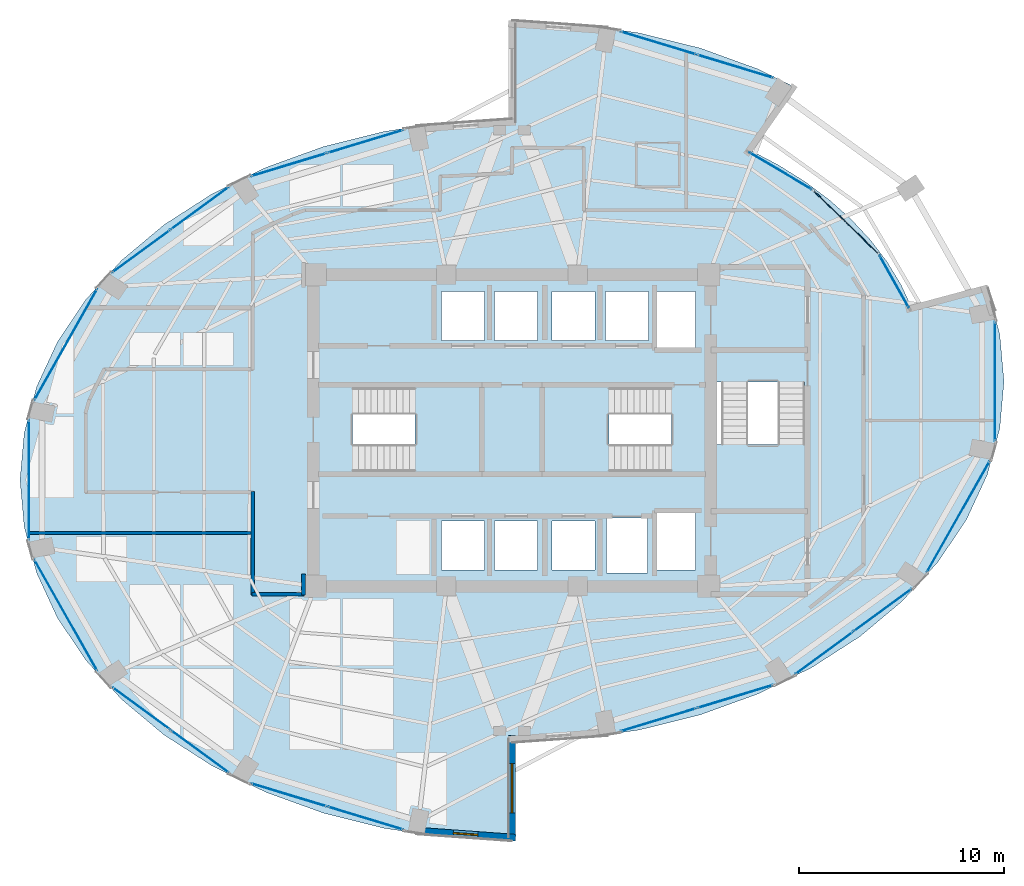
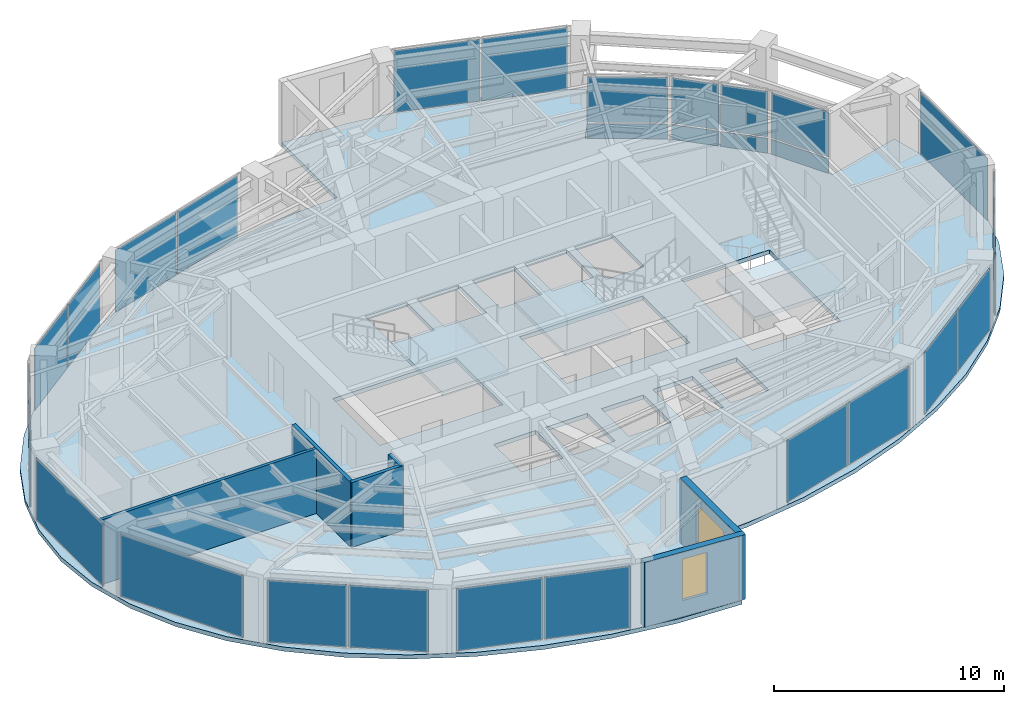
# One storey, part 14 of 19: 27 plates, 6 walls, 4 slabs, 2 windows, 2 openings, 18 elements without a shape of their own.
"""IFC4 building model written with IfcOpenShell, lengths in metres."""

from ifc_helpers import new_model, si_unit, direction, frame, frame_2d, origin, origin_2d, place, context, subcontext, project, spatial, polyline, rectangle, outline, extrude, material, layer, layer_set, type_object, element, fill, aggregate, save


model = new_model("IFC4")

# Units and contexts
model_context = context("Model", 3, precision=1e-05, world=origin(), true_north=direction((0.0, 1.0)))
body_context = subcontext(model_context, "Body", "Model", "MODEL_VIEW")
ifc_project = project(units=[si_unit("LENGTHUNIT", "METRE"), si_unit("AREAUNIT", "SQUARE_METRE"), si_unit("VOLUMEUNIT", "CUBIC_METRE"), si_unit("PLANEANGLEUNIT", "RADIAN"), si_unit("MASSUNIT", "GRAM", prefix="KILO")], contexts=[model_context])

# Site, building, storey
site_placement = place(None, origin())
site = spatial("IfcSite", under=ifc_project, at=site_placement, CompositionType="ELEMENT")
building_placement = place(site_placement, origin())
building = spatial("IfcBuilding", under=site, at=building_placement, Name="Lazwardi Medical Tower", CompositionType="ELEMENT")
storey_placement = place(building_placement, frame((0.0, 0.0, 171.1201171875)))
storey = spatial("IfcBuildingStorey", under=building, at=storey_placement, Name="L44", CompositionType="ELEMENT", Elevation=171.1201171875)

# Curtain wall, plates
ifc_material_1 = material(Name="Anodised bronze aluminium and solar control glazing", Category="aluminium")
ifc_layer_1 = layer(ifc_material_1, 0.195068359375)
ifc_layer_set_1 = layer_set([ifc_layer_1], Name="Anodised bronze aluminium and solar control glazing")
curtain_wall_type_1 = type_object("IfcCurtainWallType", Name="CW-SYS-03", PredefinedType="NOTDEFINED", material=ifc_layer_set_1)
curtain_wall_1_placement = place(storey_placement, origin())
curtain_wall_1 = element("IfcCurtainWall", 1, at=curtain_wall_1_placement, inside=storey, type_object=curtain_wall_type_1, Name="L44 Unitised bronze curtain wall CW-03", PredefinedType="NOTDEFINED")
ifc_material_2 = material(Name="Low-e bronze solar control double glazing", Category="glass")
ifc_layer_2 = layer(ifc_material_2, 0.035888671875)
ifc_layer_set_2 = layer_set([ifc_layer_2], Name="Low-e bronze solar control double glazing")
plate_type_1 = type_object("IfcPlateType", Name="PLT-GLZ-01", PredefinedType="CURTAIN_PANEL", material=ifc_layer_set_2)
plate_1_placement = place(storey_placement, frame((43.1435546875, 13.8935546875, 0.07470703125), z_axis=(0.0, 0.0, 1.0), x_axis=(0.956941516292, 0.290280785441, 0.0)))
plate_1 = element("IfcPlate", 2, at=plate_1_placement, type_object=plate_type_1, Name="CW-03 panel 1.1", PredefinedType="CURTAIN_PANEL", context=body_context, shape_type="SweptSolid", body=[
    extrude(rectangle(XDim=3.83642578125, YDim=0.035888671875, at=origin_2d()), origin(), (0.0, 0.0, 1.0), 3.278076171875),
])
plate_2_placement = place(storey_placement, frame((46.88671875, 15.029052734375, 0.07470703125), z_axis=(0.0, 0.0, 1.0), x_axis=(0.956941516292, 0.290280785441, 0.0)))
plate_2 = element("IfcPlate", 3, at=plate_2_placement, type_object=plate_type_1, Name="CW-03 panel 2.1", PredefinedType="CURTAIN_PANEL", context=body_context, shape_type="SweptSolid", body=[
    extrude(rectangle(XDim=3.83642578125, YDim=0.035888671875, at=origin_2d()), origin(), (0.0, 0.0, 1.0), 3.278076171875),
])
aggregate(curtain_wall_1, [plate_1, plate_2])

curtain_wall_2_placement = place(storey_placement, origin())
curtain_wall_2 = element("IfcCurtainWall", 4, at=curtain_wall_2_placement, inside=storey, type_object=curtain_wall_type_1, Name="L44 Unitised bronze curtain wall CW-03", PredefinedType="NOTDEFINED")
plate_3_placement = place(storey_placement, frame((51.2265625, 17.153076171875, 0.07470703125), z_axis=(0.0, 0.0, 1.0), x_axis=(0.806793249082, 0.590833862635, 0.0)))
plate_3 = element("IfcPlate", 5, at=plate_3_placement, type_object=plate_type_1, Name="CW-03 panel 1.1", PredefinedType="CURTAIN_PANEL", context=body_context, shape_type="SweptSolid", body=[
    extrude(rectangle(XDim=3.472412109375, YDim=0.035888671875, at=origin_2d()), origin(), (0.0, 0.0, 1.0), 3.278076171875),
])
plate_4_placement = place(storey_placement, frame((54.088623046875, 19.2490234375, 0.07470703125), z_axis=(0.0, 0.0, 1.0), x_axis=(0.806793249082, 0.590833862635, 0.0)))
plate_4 = element("IfcPlate", 6, at=plate_4_placement, type_object=plate_type_1, Name="CW-03 panel 2.1", PredefinedType="CURTAIN_PANEL", context=body_context, shape_type="SweptSolid", body=[
    extrude(rectangle(XDim=3.472412109375, YDim=0.035888671875, at=origin_2d()), origin(), (0.0, 0.0, 1.0), 3.278076171875),
])
aggregate(curtain_wall_2, [plate_3, plate_4])

# Curtain wall, plate
curtain_wall_3_placement = place(storey_placement, origin())
curtain_wall_3 = element("IfcCurtainWall", 7, at=curtain_wall_3_placement, inside=storey, type_object=curtain_wall_type_1, Name="L44 Unitised bronze curtain wall CW-03", PredefinedType="NOTDEFINED")
plate_5_placement = place(storey_placement, frame((57.764404296875, 23.798095703125, 0.07470703125), z_axis=(0.0, 0.0, 1.0), x_axis=(0.492311672683, 0.870418989303, 0.0)))
plate_5 = element("IfcPlate", 8, at=plate_5_placement, type_object=plate_type_1, Name="CW-03 panel 1.1", PredefinedType="CURTAIN_PANEL", context=body_context, shape_type="SweptSolid", body=[
    extrude(rectangle(XDim=6.208740234375, YDim=0.035888671875, at=origin_2d()), origin(), (0.0, 0.0, 1.0), 3.278076171875),
])
aggregate(curtain_wall_3, [plate_5])

curtain_wall_4_placement = place(storey_placement, origin())
curtain_wall_4 = element("IfcCurtainWall", 9, at=curtain_wall_4_placement, inside=storey, type_object=curtain_wall_type_1, Name="L44 Unitised bronze curtain wall CW-03", PredefinedType="NOTDEFINED")
plate_6_placement = place(storey_placement, frame((59.5576171875, 30.39990234375, 0.07470703125), z_axis=(0.0, 0.0, 1.0), x_axis=(0.0, 1.0, 0.0)))
plate_6 = element("IfcPlate", 10, at=plate_6_placement, type_object=plate_type_1, Name="CW-03 panel 1.1", PredefinedType="CURTAIN_PANEL", context=body_context, shape_type="SweptSolid", body=[
    extrude(rectangle(XDim=5.8408203125, YDim=0.035888671875, at=origin_2d()), origin(), (0.0, 0.0, 1.0), 3.278076171875),
])
aggregate(curtain_wall_4, [plate_6])

# Curtain wall, plates
curtain_wall_5_placement = place(storey_placement, origin())
curtain_wall_5 = element("IfcCurtainWall", 11, at=curtain_wall_5_placement, inside=storey, type_object=curtain_wall_type_1, Name="L44 Unitised bronze curtain wall CW-03", PredefinedType="NOTDEFINED")
plate_7_placement = place(storey_placement, frame((46.88671875, 45.77099609375, 0.07470703125), z_axis=(0.0, 0.0, 1.0), x_axis=(-0.956941516292, 0.290280785441, 0.0)))
plate_7 = element("IfcPlate", 12, at=plate_7_placement, type_object=plate_type_1, Name="CW-03 panel 1.1", PredefinedType="CURTAIN_PANEL", context=body_context, shape_type="SweptSolid", body=[
    extrude(rectangle(XDim=3.83642578125, YDim=0.035888671875, at=origin_2d()), origin(), (0.0, 0.0, 1.0), 3.278076171875),
])
plate_8_placement = place(storey_placement, frame((43.1435546875, 46.906494140625, 0.07470703125), z_axis=(0.0, 0.0, 1.0), x_axis=(-0.956941516292, 0.290280785441, 0.0)))
plate_8 = element("IfcPlate", 13, at=plate_8_placement, type_object=plate_type_1, Name="CW-03 panel 2.1", PredefinedType="CURTAIN_PANEL", context=body_context, shape_type="SweptSolid", body=[
    extrude(rectangle(XDim=3.83642578125, YDim=0.035888671875, at=origin_2d()), origin(), (0.0, 0.0, 1.0), 3.278076171875),
])
aggregate(curtain_wall_5, [plate_7, plate_8])

curtain_wall_6_placement = place(storey_placement, origin())
curtain_wall_6 = element("IfcCurtainWall", 14, at=curtain_wall_6_placement, inside=storey, type_object=curtain_wall_type_1, Name="L44 Unitised bronze curtain wall CW-03", PredefinedType="NOTDEFINED")
plate_9_placement = place(storey_placement, frame((28.8564453125, 42.1064453125, 0.07470703125), z_axis=(0.0, 0.0, 1.0), x_axis=(-0.956941516292, -0.290280785441, 0.0)))
plate_9 = element("IfcPlate", 15, at=plate_9_placement, type_object=plate_type_1, Name="CW-03 panel 1.1", PredefinedType="CURTAIN_PANEL", context=body_context, shape_type="SweptSolid", body=[
    extrude(rectangle(XDim=3.83642578125, YDim=0.035888671875, at=origin_2d()), origin(), (0.0, 0.0, 1.0), 3.278076171875),
])
plate_10_placement = place(storey_placement, frame((25.11328125, 40.970947265625, 0.07470703125), z_axis=(0.0, 0.0, 1.0), x_axis=(-0.956941516292, -0.290280785441, 0.0)))
plate_10 = element("IfcPlate", 16, at=plate_10_placement, type_object=plate_type_1, Name="CW-03 panel 2.1", PredefinedType="CURTAIN_PANEL", context=body_context, shape_type="SweptSolid", body=[
    extrude(rectangle(XDim=3.83642578125, YDim=0.035888671875, at=origin_2d()), origin(), (0.0, 0.0, 1.0), 3.278076171875),
])
aggregate(curtain_wall_6, [plate_9, plate_10])

curtain_wall_7_placement = place(storey_placement, origin())
curtain_wall_7 = element("IfcCurtainWall", 17, at=curtain_wall_7_placement, inside=storey, type_object=curtain_wall_type_1, Name="L44 Unitised bronze curtain wall CW-03", PredefinedType="NOTDEFINED")
plate_11_placement = place(storey_placement, frame((20.7734375, 38.846923828125, 0.07470703125), z_axis=(0.0, 0.0, 1.0), x_axis=(-0.806793249082, -0.590833862635, 0.0)))
plate_11 = element("IfcPlate", 18, at=plate_11_placement, type_object=plate_type_1, Name="CW-03 panel 1.1", PredefinedType="CURTAIN_PANEL", context=body_context, shape_type="SweptSolid", body=[
    extrude(rectangle(XDim=3.472412109375, YDim=0.035888671875, at=origin_2d()), origin(), (0.0, 0.0, 1.0), 3.278076171875),
])
plate_12_placement = place(storey_placement, frame((17.911376953125, 36.7509765625, 0.07470703125), z_axis=(0.0, 0.0, 1.0), x_axis=(-0.806793249082, -0.590833862635, 0.0)))
plate_12 = element("IfcPlate", 19, at=plate_12_placement, type_object=plate_type_1, Name="CW-03 panel 2.1", PredefinedType="CURTAIN_PANEL", context=body_context, shape_type="SweptSolid", body=[
    extrude(rectangle(XDim=3.472412109375, YDim=0.035888671875, at=origin_2d()), origin(), (0.0, 0.0, 1.0), 3.278076171875),
])
aggregate(curtain_wall_7, [plate_11, plate_12])

# Curtain wall, plate
curtain_wall_8_placement = place(storey_placement, origin())
curtain_wall_8 = element("IfcCurtainWall", 20, at=curtain_wall_8_placement, inside=storey, type_object=curtain_wall_type_1, Name="L44 Unitised bronze curtain wall CW-03", PredefinedType="NOTDEFINED")
plate_13_placement = place(storey_placement, frame((14.235595703125, 32.201904296875, 0.07470703125), z_axis=(0.0, 0.0, 1.0), x_axis=(-0.492311672683, -0.870418989303, 0.0)))
plate_13 = element("IfcPlate", 21, at=plate_13_placement, type_object=plate_type_1, Name="CW-03 panel 1.1", PredefinedType="CURTAIN_PANEL", context=body_context, shape_type="SweptSolid", body=[
    extrude(rectangle(XDim=6.208740234375, YDim=0.035888671875, at=origin_2d()), origin(), (0.0, 0.0, 1.0), 3.278076171875),
])
aggregate(curtain_wall_8, [plate_13])

curtain_wall_9_placement = place(storey_placement, origin())
curtain_wall_9 = element("IfcCurtainWall", 22, at=curtain_wall_9_placement, inside=storey, type_object=curtain_wall_type_1, Name="L44 Unitised bronze curtain wall CW-03", PredefinedType="NOTDEFINED")
plate_14_placement = place(storey_placement, frame((12.4423828125, 25.60009765625, 0.07470703125), z_axis=(0.0, 0.0, 1.0), x_axis=(0.0, -1.0, 0.0)))
plate_14 = element("IfcPlate", 23, at=plate_14_placement, type_object=plate_type_1, Name="CW-03 panel 1.1", PredefinedType="CURTAIN_PANEL", context=body_context, shape_type="SweptSolid", body=[
    extrude(rectangle(XDim=5.8408203125, YDim=0.035888671875, at=origin_2d()), origin(), (0.0, 0.0, 1.0), 3.278076171875),
])
aggregate(curtain_wall_9, [plate_14])

curtain_wall_10_placement = place(storey_placement, origin())
curtain_wall_10 = element("IfcCurtainWall", 24, at=curtain_wall_10_placement, inside=storey, type_object=curtain_wall_type_1, Name="L44 Unitised bronze curtain wall CW-03", PredefinedType="NOTDEFINED")
plate_15_placement = place(storey_placement, frame((14.235595703125, 18.998046875, 0.07470703125), z_axis=(0.0, 0.0, 1.0), x_axis=(0.492311672683, -0.870418989303, 0.0)))
plate_15 = element("IfcPlate", 25, at=plate_15_placement, type_object=plate_type_1, Name="CW-03 panel 1.1", PredefinedType="CURTAIN_PANEL", context=body_context, shape_type="SweptSolid", body=[
    extrude(rectangle(XDim=6.208740234375, YDim=0.035888671875, at=origin_2d()), origin(), (0.0, 0.0, 1.0), 3.278076171875),
])
aggregate(curtain_wall_10, [plate_15])

# Curtain wall, plates
curtain_wall_11_placement = place(storey_placement, origin())
curtain_wall_11 = element("IfcCurtainWall", 26, at=curtain_wall_11_placement, inside=storey, type_object=curtain_wall_type_1, Name="L44 Unitised bronze curtain wall CW-03", PredefinedType="NOTDEFINED")
plate_16_placement = place(storey_placement, frame((17.911376953125, 14.448974609375, 0.07470703125), z_axis=(0.0, 0.0, 1.0), x_axis=(0.806793249082, -0.590833862635, 0.0)))
plate_16 = element("IfcPlate", 27, at=plate_16_placement, type_object=plate_type_1, Name="CW-03 panel 1.1", PredefinedType="CURTAIN_PANEL", context=body_context, shape_type="SweptSolid", body=[
    extrude(rectangle(XDim=3.472412109375, YDim=0.035888671875, at=origin_2d()), origin(), (0.0, 0.0, 1.0), 3.278076171875),
])
plate_17_placement = place(storey_placement, frame((20.7734375, 12.35302734375, 0.07470703125), z_axis=(0.0, 0.0, 1.0), x_axis=(0.806793249082, -0.590833862635, 0.0)))
plate_17 = element("IfcPlate", 28, at=plate_17_placement, type_object=plate_type_1, Name="CW-03 panel 2.1", PredefinedType="CURTAIN_PANEL", context=body_context, shape_type="SweptSolid", body=[
    extrude(rectangle(XDim=3.472412109375, YDim=0.035888671875, at=origin_2d()), origin(), (0.0, 0.0, 1.0), 3.278076171875),
])
aggregate(curtain_wall_11, [plate_16, plate_17])

curtain_wall_12_placement = place(storey_placement, origin())
curtain_wall_12 = element("IfcCurtainWall", 29, at=curtain_wall_12_placement, inside=storey, type_object=curtain_wall_type_1, Name="L44 Unitised bronze curtain wall CW-03", PredefinedType="NOTDEFINED")
plate_18_placement = place(storey_placement, frame((25.11328125, 10.22900390625, 0.07470703125), z_axis=(0.0, 0.0, 1.0), x_axis=(0.956941516292, -0.290280785441, 0.0)))
plate_18 = element("IfcPlate", 30, at=plate_18_placement, type_object=plate_type_1, Name="CW-03 panel 1.1", PredefinedType="CURTAIN_PANEL", context=body_context, shape_type="SweptSolid", body=[
    extrude(rectangle(XDim=3.83642578125, YDim=0.035888671875, at=origin_2d()), origin(), (0.0, 0.0, 1.0), 3.278076171875),
])
plate_19_placement = place(storey_placement, frame((28.8564453125, 9.093505859375, 0.07470703125), z_axis=(0.0, 0.0, 1.0), x_axis=(0.956941516292, -0.290280785441, 0.0)))
plate_19 = element("IfcPlate", 31, at=plate_19_placement, type_object=plate_type_1, Name="CW-03 panel 2.1", PredefinedType="CURTAIN_PANEL", context=body_context, shape_type="SweptSolid", body=[
    extrude(rectangle(XDim=3.83642578125, YDim=0.035888671875, at=origin_2d()), origin(), (0.0, 0.0, 1.0), 3.278076171875),
])
aggregate(curtain_wall_12, [plate_18, plate_19])

ifc_layer_3 = layer(ifc_material_1, 0.239990234375)
ifc_layer_set_3 = layer_set([ifc_layer_3], Name="Anodised bronze aluminium and solar control glazing")
curtain_wall_type_2 = type_object("IfcCurtainWallType", Name="CW-SYS-05", PredefinedType="NOTDEFINED", material=ifc_layer_set_3)
curtain_wall_13_placement = place(storey_placement, origin())
curtain_wall_13 = element("IfcCurtainWall", 32, at=curtain_wall_13_placement, inside=storey, type_object=curtain_wall_type_2, Name="L44 Unitised bronze curtain wall CW-05", PredefinedType="NOTDEFINED")
ifc_material_3 = material(Name="Laminated acoustic bronze double glazing", Category="glass")
ifc_layer_4 = layer(ifc_material_3, 0.0419921875)
ifc_layer_set_4 = layer_set([ifc_layer_4], Name="Laminated acoustic bronze double glazing")
plate_type_2 = type_object("IfcPlateType", Name="PLT-GLZ-02", PredefinedType="CURTAIN_PANEL", material=ifc_layer_set_4)
plate_20_placement = place(storey_placement, frame((54.6435546875, 35.275634765625, 0.0849609375), z_axis=(0.0, 0.0, 1.0), x_axis=(-0.49088699117, 0.87122325606, 0.0)))
plate_20 = element("IfcPlate", 33, at=plate_20_placement, type_object=plate_type_2, Name="CW-05 panel 1.1", PredefinedType="CURTAIN_PANEL", context=body_context, shape_type="SweptSolid", body=[
    extrude(rectangle(XDim=2.894775390625, YDim=0.0419921875, at=origin_2d()), origin(), (0.0, 0.0, 1.0), 0.7724609375),
])
plate_21_placement = place(storey_placement, frame((54.6435546875, 35.275634765625, 0.9423828125), z_axis=(0.0, 0.0, 1.0), x_axis=(-0.49088699117, 0.87122325606, 0.0)))
plate_21 = element("IfcPlate", 34, at=plate_21_placement, type_object=plate_type_2, Name="CW-05 panel 1.2", PredefinedType="CURTAIN_PANEL", context=body_context, shape_type="SweptSolid", body=[
    extrude(rectangle(XDim=2.894775390625, YDim=0.0419921875, at=origin_2d()), origin(), (0.0, 0.0, 1.0), 2.400390625),
])
aggregate(curtain_wall_13, [plate_20, plate_21])

curtain_wall_14_placement = place(storey_placement, origin())
curtain_wall_14 = element("IfcCurtainWall", 35, at=curtain_wall_14_placement, inside=storey, type_object=curtain_wall_type_2, Name="L44 Unitised bronze curtain wall CW-05", PredefinedType="NOTDEFINED")
plate_22_placement = place(storey_placement, frame((49.1015625, 40.66796875, 0.0849609375), z_axis=(0.0, 0.0, 1.0), x_axis=(-0.860428700061, 0.509570850923, 0.0)))
plate_22 = element("IfcPlate", 36, at=plate_22_placement, type_object=plate_type_2, Name="CW-05 panel 1.1", PredefinedType="CURTAIN_PANEL", context=body_context, shape_type="SweptSolid", body=[
    extrude(rectangle(XDim=3.51220703125, YDim=0.0419921875, at=origin_2d()), origin(), (0.0, 0.0, 1.0), 0.7724609375),
])
plate_23_placement = place(storey_placement, frame((49.1015625, 40.66796875, 0.9423828125), z_axis=(0.0, 0.0, 1.0), x_axis=(-0.860428700061, 0.509570850923, 0.0)))
plate_23 = element("IfcPlate", 37, at=plate_23_placement, type_object=plate_type_2, Name="CW-05 panel 1.2", PredefinedType="CURTAIN_PANEL", context=body_context, shape_type="SweptSolid", body=[
    extrude(rectangle(XDim=3.51220703125, YDim=0.0419921875, at=origin_2d()), origin(), (0.0, 0.0, 1.0), 2.400390625),
])
aggregate(curtain_wall_14, [plate_22, plate_23])

curtain_wall_15_placement = place(storey_placement, origin())
curtain_wall_15 = element("IfcCurtainWall", 38, at=curtain_wall_15_placement, inside=storey, type_object=curtain_wall_type_2, Name="L44 Unitised bronze curtain wall CW-05", PredefinedType="NOTDEFINED")
plate_24_placement = place(storey_placement, frame((53.07470703125, 37.4052734375, 0.0849609375), z_axis=(0.0, 0.0, 1.0), x_axis=(-0.716732273151, 0.697348441329, 0.0)))
plate_24 = element("IfcPlate", 39, at=plate_24_placement, type_object=plate_type_2, Name="CW-05 panel 1.1", PredefinedType="CURTAIN_PANEL", context=body_context, shape_type="SweptSolid", body=[
    extrude(rectangle(XDim=2.10888671875, YDim=0.0419921875, at=origin_2d()), origin(), (0.0, 0.0, 1.0), 0.7724609375),
])
plate_25_placement = place(storey_placement, frame((53.07470703125, 37.4052734375, 0.9423828125), z_axis=(0.0, 0.0, 1.0), x_axis=(-0.716732273151, 0.697348441329, 0.0)))
plate_25 = element("IfcPlate", 40, at=plate_25_placement, type_object=plate_type_2, Name="CW-05 panel 1.2", PredefinedType="CURTAIN_PANEL", context=body_context, shape_type="SweptSolid", body=[
    extrude(rectangle(XDim=2.10888671875, YDim=0.0419921875, at=origin_2d()), origin(), (0.0, 0.0, 1.0), 2.400390625),
])
plate_26_placement = place(storey_placement, frame((51.502197265625, 38.93505859375, 0.0849609375), z_axis=(0.0, 0.0, 1.0), x_axis=(-0.716732273151, 0.697348441329, 0.0)))
plate_26 = element("IfcPlate", 41, at=plate_26_placement, type_object=plate_type_2, Name="CW-05 panel 2.1", PredefinedType="CURTAIN_PANEL", context=body_context, shape_type="SweptSolid", body=[
    extrude(rectangle(XDim=2.10888671875, YDim=0.0419921875, at=origin_2d()), origin(), (0.0, 0.0, 1.0), 0.7724609375),
])
plate_27_placement = place(storey_placement, frame((51.502197265625, 38.93505859375, 0.9423828125), z_axis=(0.0, 0.0, 1.0), x_axis=(-0.716732273151, 0.697348441329, 0.0)))
plate_27 = element("IfcPlate", 42, at=plate_27_placement, type_object=plate_type_2, Name="CW-05 panel 2.2", PredefinedType="CURTAIN_PANEL", context=body_context, shape_type="SweptSolid", body=[
    extrude(rectangle(XDim=2.10888671875, YDim=0.0419921875, at=origin_2d()), origin(), (0.0, 0.0, 1.0), 2.400390625),
])
aggregate(curtain_wall_15, [plate_24, plate_25, plate_26, plate_27])

# Stair, slab
ifc_material_4 = material(Name="Concrete C45/55", Category="concrete")
stair_type = type_object("IfcStairType", Name="STR-WRD", PredefinedType="HALF_TURN_STAIR", material=ifc_material_4)
stair_1_placement = place(storey_placement, origin())
stair_1 = element("IfcStair", 43, at=stair_1_placement, inside=storey, type_object=stair_type, Name="L44 Protected Exit Stair ST1", PredefinedType="HALF_TURN_STAIR")
ifc_layer_5 = layer(ifc_material_4, 0.199951171875)
ifc_layer_set_5 = layer_set([ifc_layer_5], Name="Concrete C45/55")
slab_type_1 = type_object("IfcSlabType", Name="SLB-LND-190", PredefinedType="LANDING", material=ifc_layer_set_5)
slab_1_placement = place(storey_placement, frame((0.0, 0.0, 1.623779296875)))
slab_1 = element("IfcSlab", 44, at=slab_1_placement, type_object=slab_type_1, Name="ST1 landing 1", PredefinedType="LANDING", context=body_context, shape_type="SweptSolid", body=[
    extrude(outline(polyline([(31.27490234375, 25.840087890625), (34.580078125, 25.840087890625), (34.580078125, 30.280029296875), (31.27490234375, 30.280029296875), (31.27490234375, 25.840087890625)])), origin(), (0.0, 0.0, 1.0), 0.2001953125),
])
aggregate(stair_1, [slab_1])

stair_2_placement = place(storey_placement, origin())
stair_2 = element("IfcStair", 45, at=stair_2_placement, inside=storey, type_object=stair_type, Name="L44 Protected Exit Stair ST2", PredefinedType="HALF_TURN_STAIR")
slab_2_placement = place(storey_placement, frame((0.0, 0.0, 1.623779296875)))
slab_2 = element("IfcSlab", 46, at=slab_2_placement, type_object=slab_type_1, Name="ST2 landing 1", PredefinedType="LANDING", context=body_context, shape_type="SweptSolid", body=[
    extrude(outline(polyline([(40.72509765625, 30.280029296875), (37.419921875, 30.280029296875), (37.419921875, 25.840087890625), (40.72509765625, 25.840087890625), (40.72509765625, 30.280029296875)])), origin(), (0.0, 0.0, 1.0), 0.2001953125),
])
aggregate(stair_2, [slab_2])

stair_3_placement = place(storey_placement, origin())
stair_3 = element("IfcStair", 47, at=stair_3_placement, inside=storey, type_object=stair_type, Name="L44 Protected Exit Stair ST3", PredefinedType="HALF_TURN_STAIR")
slab_3_placement = place(storey_placement, frame((0.0, 0.0, 1.623779296875)))
slab_3 = element("IfcSlab", 48, at=slab_3_placement, type_object=slab_type_1, Name="ST3 landing 1", PredefinedType="LANDING", context=body_context, shape_type="SweptSolid", body=[
    extrude(outline(polyline([(45.860107421875, 27.324951171875), (45.860107421875, 24.02001953125), (50.4599609375, 24.02001953125), (50.4599609375, 27.324951171875), (45.860107421875, 27.324951171875)])), origin(), (0.0, 0.0, 1.0), 0.2001953125),
])
aggregate(stair_3, [slab_3])

# Slab
ifc_material_5 = material(Name="Concrete C50/60", Category="concrete")
ifc_layer_6 = layer(ifc_material_5, 0.219970703125)
ifc_layer_set_6 = layer_set([ifc_layer_6], Name="Concrete C50/60")
slab_type_2 = type_object("IfcSlabType", Name="SLB-WRD-220", PredefinedType="FLOOR", material=ifc_layer_set_6)
slab_4_placement = place(storey_placement, frame((0.0, 0.0, -0.22021484375)))
element("IfcSlab", 49, at=slab_4_placement, inside=storey, type_object=slab_type_2, Name="Structural floor slab SF-03 L44", PredefinedType="FLOOR", context=body_context, shape_type="SweptSolid", body=[
    extrude(outline(polyline([(39.132568359375, 12.95068359375), (42.211669921875, 13.399658203125), (45.184326171875, 14.1396484375), (48.0, 15.157958984375), (50.6103515625, 16.43701171875), (52.970703125, 17.954833984375), (55.04052734375, 19.685791015625), (56.78466796875, 21.60009765625), (58.173095703125, 23.664794921875), (59.18212890625, 25.8447265625), (59.794677734375, 28.102783203125), (60.0, 30.39990234375), (59.794677734375, 32.697265625), (59.18359375, 34.950439453125), (59.18359375, 34.950439453125), (55.512939453125, 33.966796875), (55.512451171875, 33.966796875), (55.511962890625, 33.966796875), (55.511474609375, 33.966796875), (55.510986328125, 33.966796875), (55.510498046875, 33.966796875), (55.510009765625, 33.967041015625), (55.509521484375, 33.96728515625), (55.509033203125, 33.96728515625), (55.5087890625, 33.9677734375), (55.50830078125, 33.968017578125), (55.508056640625, 33.968505859375), (55.5078125, 33.96875), (55.50732421875, 33.96923828125), (55.507080078125, 33.969482421875), (54.977294921875, 35.117431640625), (54.30322265625, 36.229248046875), (53.489990234375, 37.296875), (52.54345703125, 38.311767578125), (51.470947265625, 39.2666015625), (50.28076171875, 40.154052734375), (48.981689453125, 40.967041015625), (47.583984375, 41.699951171875), (47.58349609375, 41.7001953125), (47.5830078125, 41.700439453125), (47.582763671875, 41.70068359375), (47.582275390625, 41.701171875), (47.58203125, 41.701416015625), (47.581787109375, 41.701904296875), (47.58154296875, 41.702392578125), (47.581298828125, 41.702880859375), (47.581298828125, 41.703369140625), (47.581298828125, 41.703857421875), (47.581298828125, 41.704345703125), (47.581298828125, 41.704833984375), (47.581298828125, 41.705322265625), (47.581298828125, 41.705810546875), (47.58154296875, 41.706298828125), (47.581787109375, 41.706787109375), (47.58203125, 41.707275390625), (49.740234375, 44.789306640625), (48.0, 45.64208984375), (45.184326171875, 46.660400390625), (42.211669921875, 47.400390625), (39.132568359375, 47.849365234375), (36.0, 48.0), (36.0, 43.199951171875), (32.867431640625, 43.04931640625), (29.788330078125, 42.600341796875), (26.815673828125, 41.8603515625), (24.0, 40.842041015625), (21.3896484375, 39.56298828125), (19.029296875, 38.045166015625), (16.95947265625, 36.314208984375), (15.21533203125, 34.39990234375), (13.826904296875, 32.335205078125), (12.81787109375, 30.1552734375), (12.205322265625, 27.897216796875), (12.0, 25.60009765625), (12.205322265625, 23.302734375), (12.81787109375, 21.044921875), (13.826904296875, 18.86474609375), (15.21533203125, 16.800048828125), (16.95947265625, 14.8857421875), (19.029296875, 13.15478515625), (21.3896484375, 11.636962890625), (24.0, 10.35791015625), (26.815673828125, 9.339599609375), (29.788330078125, 8.599609375), (32.867431640625, 8.150634765625), (36.0, 8.0), (36.0, 12.800048828125), (39.132568359375, 12.95068359375)]), holes=[polyline([(28.22509765625, 26.02001953125), (28.22509765625, 30.10009765625), (34.39990234375, 30.10009765625), (34.39990234375, 26.02001953125), (28.22509765625, 26.02001953125)]), polyline([(37.60009765625, 30.10009765625), (43.77490234375, 30.10009765625), (43.77490234375, 26.02001953125), (37.60009765625, 26.02001953125), (37.60009765625, 30.10009765625)]), polyline([(50.280029296875, 30.375), (50.280029296875, 24.179931640625), (45.840087890625, 24.179931640625), (45.840087890625, 30.375), (50.280029296875, 30.375)]), polyline([(34.64990234375, 32.39990234375), (32.550048828125, 32.39990234375), (32.550048828125, 34.800048828125), (34.64990234375, 34.800048828125), (34.64990234375, 32.39990234375)]), polyline([(35.14990234375, 32.39990234375), (35.14990234375, 34.800048828125), (37.25, 34.800048828125), (37.25, 32.39990234375), (35.14990234375, 32.39990234375)]), polyline([(32.550048828125, 23.60009765625), (34.64990234375, 23.60009765625), (34.64990234375, 21.199951171875), (32.550048828125, 21.199951171875), (32.550048828125, 23.60009765625)]), polyline([(37.25, 23.60009765625), (37.25, 21.199951171875), (35.14990234375, 21.199951171875), (35.14990234375, 23.60009765625), (37.25, 23.60009765625)]), polyline([(40.050048828125, 32.39990234375), (37.949951171875, 32.39990234375), (37.949951171875, 34.800048828125), (40.050048828125, 34.800048828125), (40.050048828125, 32.39990234375)]), polyline([(40.550048828125, 32.39990234375), (40.550048828125, 34.800048828125), (42.64990234375, 34.800048828125), (42.64990234375, 32.39990234375), (40.550048828125, 32.39990234375)]), polyline([(37.949951171875, 23.60009765625), (40.050048828125, 23.60009765625), (40.050048828125, 21.199951171875), (37.949951171875, 21.199951171875), (37.949951171875, 23.60009765625)]), polyline([(44.949951171875, 34.800048828125), (44.949951171875, 32.0), (43.050048828125, 32.0), (43.050048828125, 34.800048828125), (44.949951171875, 34.800048828125)]), polyline([(44.949951171875, 21.199951171875), (43.050048828125, 21.199951171875), (43.050048828125, 24.0), (44.949951171875, 24.0), (44.949951171875, 21.199951171875)]), polyline([(40.60009765625, 21.050048828125), (40.60009765625, 23.75), (42.60009765625, 23.75), (42.60009765625, 21.050048828125), (40.60009765625, 21.050048828125)])]), origin(), (0.0, 0.0, 1.0), 0.22021484375),
])

# Walls
ifc_material_6 = material(Name="Fire-rated gypsum board on steel stud", Category="steel")
ifc_layer_7 = layer(ifc_material_6, 0.179931640625)
ifc_layer_set_7 = layer_set([ifc_layer_7], Name="Fire-rated gypsum board on steel stud")
wall_type_1 = type_object("IfcWallType", Name="WL-COR-180", PredefinedType="PARTITIONING", material=ifc_layer_set_7)
wall_1_placement = place(storey_placement, frame((25.830078125, 21.010009765625, 0.0), z_axis=(0.0, 0.0, 1.0), x_axis=(0.0, -1.0, 0.0)))
element("IfcWall", 50, at=wall_1_placement, inside=storey, type_object=wall_type_1, Name="L44 Corridor partition 21", PredefinedType="PARTITIONING", context=body_context, shape_type="SweptSolid", body=[
    extrude(rectangle(XDim=1.030029296875, YDim=0.179931640625, at=frame_2d((0.51513671875, 0.0))), origin(), (0.0, 0.0, 1.0), 3.427978515625),
])
wall_2_placement = place(storey_placement, frame((25.8701171875, 20.02001953125, 0.0), z_axis=(0.0, 0.0, 1.0), x_axis=(-1.0, 0.0, 0.0)))
element("IfcWall", 51, at=wall_2_placement, inside=storey, type_object=wall_type_1, Name="L44 Corridor partition 22", PredefinedType="PARTITIONING", context=body_context, shape_type="SweptSolid", body=[
    extrude(rectangle(XDim=2.56005859375, YDim=0.179931640625, at=frame_2d((1.280029296875, 0.0))), origin(), (0.0, 0.0, 1.0), 3.427978515625),
])
wall_3_placement = place(storey_placement, frame((23.35009765625, 19.97998046875, 0.0), z_axis=(0.0, 0.0, 1.0), x_axis=(0.0, 1.0, 0.0)))
element("IfcWall", 52, at=wall_3_placement, inside=storey, type_object=wall_type_1, Name="L44 Corridor partition 23", PredefinedType="PARTITIONING", context=body_context, shape_type="SweptSolid", body=[
    extrude(rectangle(XDim=5.06005859375, YDim=0.179931640625, at=frame_2d((2.530029296875, 0.0))), origin(), (0.0, 0.0, 1.0), 3.427978515625),
])

# Wall, opening, window
ifc_material_7 = material(Name="Precast concrete C45/55", Category="concrete")
ifc_layer_8 = layer(ifc_material_7, 0.320068359375)
ifc_layer_set_8 = layer_set([ifc_layer_8], Name="Precast concrete C45/55")
wall_type_2 = type_object("IfcWallType", Name="WL-IWAN-320", PredefinedType="SOLIDWALL", material=ifc_layer_set_8)
wall_4_placement = place(storey_placement, frame((31.299072265625, 8.498779296875, 0.0), z_axis=(0.0, 0.0, 1.0), x_axis=(0.997415202861, -0.071853413984, 0.0)))
wall_4 = element("IfcWall", 53, at=wall_4_placement, inside=storey, type_object=wall_type_2, Name="L44 Iwan Portal Return Wall SW_ret", PredefinedType="SOLIDWALL", context=body_context, shape_type="SweptSolid", body=[
    extrude(rectangle(XDim=4.892822265625, YDim=0.320068359375, at=frame_2d((2.4462890625, 0.0))), origin(), (0.0, 0.0, 1.0), 3.427978515625),
])
opening_1_placement = place(wall_4_placement, frame((1.84619140625, 0.0, 0.85009765625)))
opening_1 = element("IfcOpeningElement", 54, at=opening_1_placement, cuts=wall_4, Name="Opening WN-01", PredefinedType="OPENING", context=body_context, shape_type="SweptSolid", body=[
    extrude(rectangle(XDim=1.199951171875, YDim=2.199951171875, at=frame_2d((0.60009765625, 1.10009765625))), frame((0.0, 0.169921875, 0.0), z_axis=(0.0, -1.0, 0.0), x_axis=(1.0, 0.0, 0.0)), (0.0, 0.0, 1.0), 0.340087890625),
])
window_type_1 = type_object("IfcWindowType", Name="WIN-IW-1200", PartitioningType="SINGLE_PANEL", PredefinedType="WINDOW", material=ifc_material_2)
window_1_placement = place(opening_1_placement, origin())
window_1 = element("IfcWindow", 55, at=window_1_placement, inside=storey, type_object=window_type_1, Name="L44 Iwan Slot Window SW_ret", OverallHeight=2.199951171875, OverallWidth=1.199951171875, PartitioningType="SINGLE_PANEL", PredefinedType="WINDOW", context=body_context, shape_type="SweptSolid", body=[
    extrude(rectangle(XDim=1.199951171875, YDim=2.199951171875, at=frame_2d((0.60009765625, 1.10009765625))), frame((0.0, 0.030029296875, 0.0), z_axis=(0.0, -1.0, 0.0), x_axis=(1.0, 0.0, 0.0)), (0.0, 0.0, 1.0), 0.06005859375),
])
fill(opening_1, window_1)

wall_5_placement = place(storey_placement, frame((36.0, 8.0, 0.0), z_axis=(0.0, 0.0, 1.0), x_axis=(0.0, 1.0, 0.0)))
wall_5 = element("IfcWall", 56, at=wall_5_placement, inside=storey, type_object=wall_type_2, Name="L44 Turquoise Tilework Iwan Seam Wall S_seam", PredefinedType="SOLIDWALL", context=body_context, shape_type="SweptSolid", body=[
    extrude(rectangle(XDim=5.1201171875, YDim=0.320068359375, at=frame_2d((2.56005859375, 0.0))), origin(), (0.0, 0.0, 1.0), 3.427978515625),
])
opening_2_placement = place(wall_5_placement, frame((1.360107421875, 0.0, 0.840087890625)))
opening_2 = element("IfcOpeningElement", 57, at=opening_2_placement, cuts=wall_5, Name="Opening WN-02", PredefinedType="OPENING", context=body_context, shape_type="SweptSolid", body=[
    extrude(rectangle(XDim=2.39990234375, YDim=2.0400390625, at=frame_2d((1.199951171875, 1.02001953125))), frame((0.0, 0.169921875, 0.0), z_axis=(0.0, -1.0, 0.0), x_axis=(1.0, 0.0, 0.0)), (0.0, 0.0, 1.0), 0.340087890625),
])
window_type_2 = type_object("IfcWindowType", Name="WIN-IW-2400", PartitioningType="SINGLE_PANEL", PredefinedType="WINDOW", material=ifc_material_2)
window_2_placement = place(opening_2_placement, origin())
window_2 = element("IfcWindow", 58, at=window_2_placement, inside=storey, type_object=window_type_2, Name="L44 Iwan Seam Window S_seam", OverallHeight=2.0400390625, OverallWidth=2.39990234375, PartitioningType="SINGLE_PANEL", PredefinedType="WINDOW", context=body_context, shape_type="SweptSolid", body=[
    extrude(rectangle(XDim=2.39990234375, YDim=2.0400390625, at=frame_2d((1.199951171875, 1.02001953125))), frame((0.0, 0.030029296875, 0.0), z_axis=(0.0, -1.0, 0.0), x_axis=(1.0, 0.0, 0.0)), (0.0, 0.0, 1.0), 0.06005859375),
])
fill(opening_2, window_2)

# Wall
ifc_material_8 = material(Name="Acoustic gypsum board partition")
ifc_layer_9 = layer(ifc_material_8, 0.14990234375)
ifc_layer_set_9 = layer_set([ifc_layer_9], Name="Acoustic gypsum board partition")
wall_type_3 = type_object("IfcWallType", Name="WL-WRD-150", PredefinedType="PARTITIONING", material=ifc_layer_set_9)
wall_6_placement = place(storey_placement, frame((12.452880859375, 23.0, 0.0), z_axis=(0.0, 0.0, 1.0), x_axis=(1.0, 0.0, 0.0)))
element("IfcWall", 59, at=wall_6_placement, inside=storey, type_object=wall_type_3, Name="L44 Room partition 1", PredefinedType="PARTITIONING", context=body_context, shape_type="SweptSolid", body=[
    extrude(rectangle(XDim=10.80712890625, YDim=0.14990234375, at=frame_2d((5.403564453125, 0.0))), origin(), (0.0, 0.0, 1.0), 3.427978515625),
])

save(model, "model.ifc")
